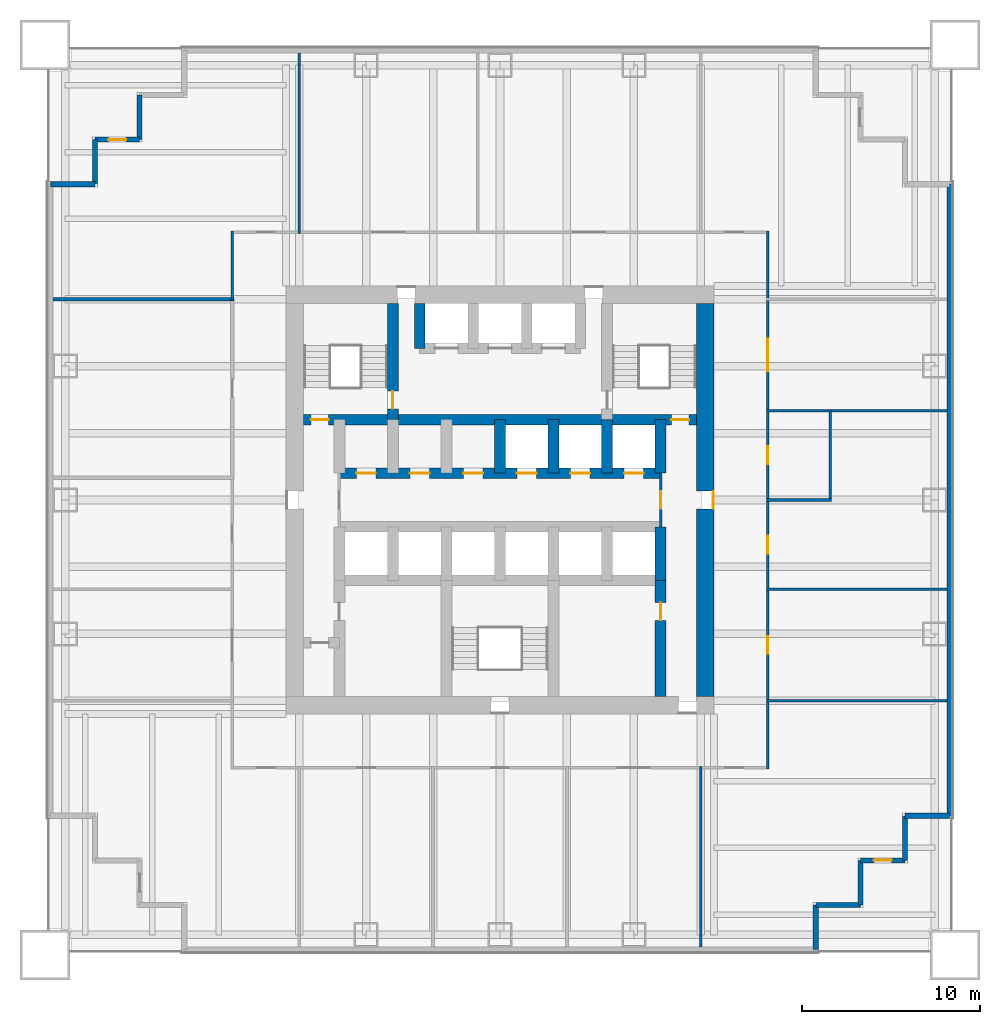
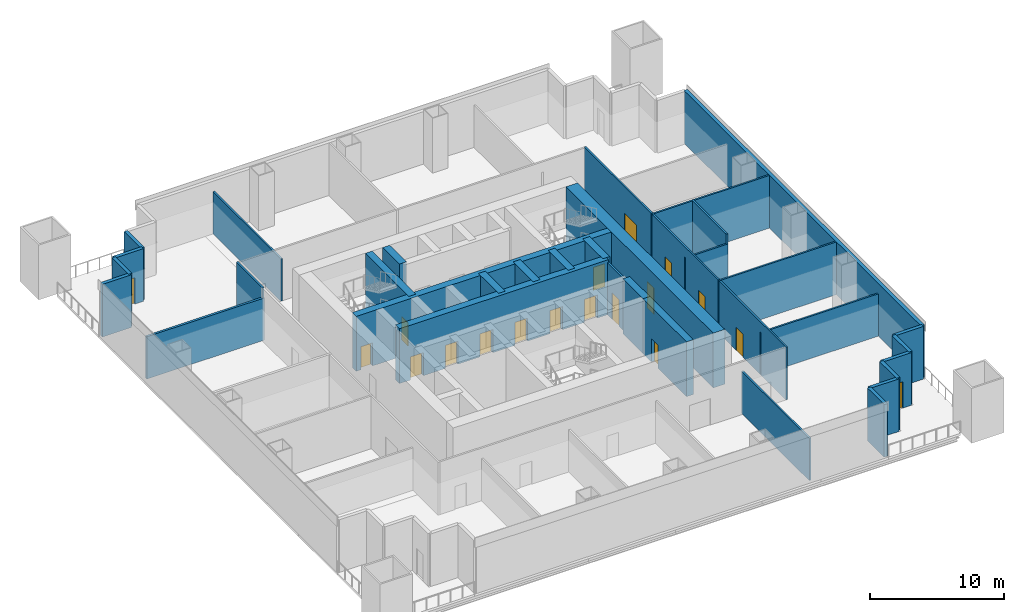
# One storey, part 3 of 6: 33 walls, 18 doors, 18 openings.
"""IFC4 building model written with IfcOpenShell, lengths in metres."""

from ifc_helpers import new_model, si_unit, direction, frame, frame_2d, origin, place, context, subcontext, project, spatial, rectangle, extrude, material, layer, layer_set, type_object, element, fill, save


model = new_model("IFC4")

# Units and contexts
model_context = context("Model", 3, precision=1e-05, world=origin(), true_north=direction((0.0, 1.0)))
body_context = subcontext(model_context, "Body", "Model", "MODEL_VIEW")
ifc_project = project(units=[si_unit("LENGTHUNIT", "METRE"), si_unit("AREAUNIT", "SQUARE_METRE"), si_unit("VOLUMEUNIT", "CUBIC_METRE"), si_unit("PLANEANGLEUNIT", "RADIAN"), si_unit("MASSUNIT", "GRAM", prefix="KILO")], contexts=[model_context])

# Site, building, storey
site_placement = place(None, origin())
site = spatial("IfcSite", under=ifc_project, at=site_placement, CompositionType="ELEMENT")
building_placement = place(site_placement, origin())
building = spatial("IfcBuilding", under=site, at=building_placement, Name="Tarangal Relay Tower", CompositionType="ELEMENT")
storey_placement = place(building_placement, frame((0.0, 0.0, 83.39990234375)))
storey = spatial("IfcBuildingStorey", under=building, at=storey_placement, Name="L16", CompositionType="ELEMENT", Elevation=83.39990234375)

# Wall
ifc_material_1 = material(Name="Two layers gypsum board each side on twin steel studs, mineral wool", Category="steel")
ifc_layer_1 = layer(ifc_material_1, 0.199951171875)
ifc_layer_set_1 = layer_set([ifc_layer_1], Name="Acoustic partition 200")
wall_type_1 = type_object("IfcWallType", Name="Acoustic partition 200", PredefinedType="PARTITIONING", material=ifc_layer_set_1)
wall_1_placement = place(storey_placement, frame((-25.050048828125, 11.25, 0.0), z_axis=(0.0, 0.0, 1.0), x_axis=(1.0, 0.0, 0.0)))
element("IfcWall", 1, at=wall_1_placement, inside=storey, type_object=wall_type_1, Name="Partition PT2 L16", PredefinedType="PARTITIONING", context=body_context, shape_type="SweptSolid", body=[
    extrude(rectangle(XDim=10.150146484375, YDim=0.199951171875, at=frame_2d((5.0751953125, 0.0))), origin(), (0.0, 0.0, 1.0), 3.852783203125),
])

# Wall, openings, doors
ifc_material_2 = material(Name="Concrete fc' 60 MPa", Category="concrete")
ifc_layer_2 = layer(ifc_material_2, 0.60009765625)
ifc_layer_set_2 = layer_set([ifc_layer_2], Name="Core inner wall 600")
wall_type_2 = type_object("IfcWallType", Name="Core inner wall 600", PredefinedType="SHEAR", material=ifc_layer_set_2)
wall_2_placement = place(storey_placement, frame((-11.0, 4.5, 0.0), z_axis=(0.0, 0.0, 1.0), x_axis=(1.0, 0.0, 0.0)))
wall_2 = element("IfcWall", 2, at=wall_2_placement, inside=storey, type_object=wall_type_2, Name="Core wall Y45 L16", PredefinedType="SHEAR", context=body_context, shape_type="SweptSolid", body=[
    extrude(rectangle(XDim=22.0, YDim=0.60009765625, at=frame_2d((11.0, 0.0))), origin(), (0.0, 0.0, 1.0), 5.0),
])
opening_1_placement = place(wall_2_placement, frame((0.39990234375, 0.0, 0.0)))
opening_1 = element("IfcOpeningElement", 3, at=opening_1_placement, cuts=wall_2, Name="Opening FD1", PredefinedType="OPENING", context=body_context, shape_type="SweptSolid", body=[
    extrude(rectangle(XDim=1.0, YDim=2.10009765625, at=frame_2d((0.5, 1.050048828125))), frame((0.0, 0.31005859375, 0.0), z_axis=(0.0, -1.0, 0.0), x_axis=(1.0, 0.0, 0.0)), (0.0, 0.0, 1.0), 0.6201171875),
])
opening_2_placement = place(wall_2_placement, frame((20.60009765625, 0.0, 0.0)))
opening_2 = element("IfcOpeningElement", 4, at=opening_2_placement, cuts=wall_2, Name="Opening FD1", PredefinedType="OPENING", context=body_context, shape_type="SweptSolid", body=[
    extrude(rectangle(XDim=1.0, YDim=2.10009765625, at=frame_2d((0.5, 1.050048828125))), frame((0.0, 0.31005859375, 0.0), z_axis=(0.0, -1.0, 0.0), x_axis=(1.0, 0.0, 0.0)), (0.0, 0.0, 1.0), 0.6201171875),
])
ifc_material_3 = material(Name="Steel door with hardwood frame", Category="steel")
door_type_1 = type_object("IfcDoorType", Name="Fire door 1000 x 2100", OperationType="SINGLE_SWING_LEFT", PredefinedType="DOOR", material=ifc_material_3)
door_1_placement = place(opening_1_placement, origin())
door_1 = element("IfcDoor", 5, at=door_1_placement, inside=storey, type_object=door_type_1, Name="Stair ST-A door from corridor L16", OperationType="SINGLE_SWING_LEFT", OverallHeight=2.10009765625, OverallWidth=1.0, PredefinedType="DOOR", context=body_context, shape_type="SweptSolid", body=[
    extrude(rectangle(XDim=1.0, YDim=2.10009765625, at=frame_2d((0.5, 1.050048828125))), frame((0.0, 0.02490234375, 0.0), z_axis=(0.0, -1.0, 0.0), x_axis=(1.0, 0.0, 0.0)), (0.0, 0.0, 1.0), 0.050048828125),
])
fill(opening_1, door_1)
door_2_placement = place(opening_2_placement, origin())
door_2 = element("IfcDoor", 6, at=door_2_placement, inside=storey, type_object=door_type_1, Name="Stair ST-B door from corridor L16", OperationType="SINGLE_SWING_LEFT", OverallHeight=2.10009765625, OverallWidth=1.0, PredefinedType="DOOR", context=body_context, shape_type="SweptSolid", body=[
    extrude(rectangle(XDim=1.0, YDim=2.10009765625, at=frame_2d((0.5, 1.050048828125))), frame((0.0, 0.02490234375, 0.0), z_axis=(0.0, -1.0, 0.0), x_axis=(1.0, 0.0, 0.0)), (0.0, 0.0, 1.0), 0.050048828125),
])
fill(opening_2, door_2)

wall_3_placement = place(storey_placement, frame((-9.0, 1.5, 0.0), z_axis=(0.0, 0.0, 1.0), x_axis=(1.0, 0.0, 0.0)))
wall_3 = element("IfcWall", 7, at=wall_3_placement, inside=storey, type_object=wall_type_2, Name="Core wall Y15 L16", PredefinedType="SHEAR", context=body_context, shape_type="SweptSolid", body=[
    extrude(rectangle(XDim=18.0, YDim=0.60009765625, at=frame_2d((9.0, 0.0))), origin(), (0.0, 0.0, 1.0), 5.0),
])
opening_3_placement = place(wall_3_placement, frame((9.949951171875, 0.0, 0.0)))
opening_3 = element("IfcOpeningElement", 8, at=opening_3_placement, cuts=wall_3, Name="Opening LD1", PredefinedType="OPENING", context=body_context, shape_type="SweptSolid", body=[
    extrude(rectangle(XDim=1.10009765625, YDim=2.10009765625, at=frame_2d((0.550048828125, 1.050048828125))), frame((0.0, 0.31005859375, 0.0), z_axis=(0.0, -1.0, 0.0), x_axis=(1.0, 0.0, 0.0)), (0.0, 0.0, 1.0), 0.6201171875),
])
opening_4_placement = place(wall_3_placement, frame((12.949951171875, 0.0, 0.0)))
opening_4 = element("IfcOpeningElement", 9, at=opening_4_placement, cuts=wall_3, Name="Opening LD1", PredefinedType="OPENING", context=body_context, shape_type="SweptSolid", body=[
    extrude(rectangle(XDim=1.10009765625, YDim=2.10009765625, at=frame_2d((0.550048828125, 1.050048828125))), frame((0.0, 0.31005859375, 0.0), z_axis=(0.0, -1.0, 0.0), x_axis=(1.0, 0.0, 0.0)), (0.0, 0.0, 1.0), 0.6201171875),
])
opening_5_placement = place(wall_3_placement, frame((15.949951171875, 0.0, 0.0)))
opening_5 = element("IfcOpeningElement", 10, at=opening_5_placement, cuts=wall_3, Name="Opening LD1", PredefinedType="OPENING", context=body_context, shape_type="SweptSolid", body=[
    extrude(rectangle(XDim=1.10009765625, YDim=2.10009765625, at=frame_2d((0.550048828125, 1.050048828125))), frame((0.0, 0.31005859375, 0.0), z_axis=(0.0, -1.0, 0.0), x_axis=(1.0, 0.0, 0.0)), (0.0, 0.0, 1.0), 0.6201171875),
])
opening_6_placement = place(wall_3_placement, frame((0.949951171875, 0.0, 0.0)))
opening_6 = element("IfcOpeningElement", 11, at=opening_6_placement, cuts=wall_3, Name="Opening D4", PredefinedType="OPENING", context=body_context, shape_type="SweptSolid", body=[
    extrude(rectangle(XDim=1.10009765625, YDim=2.10009765625, at=frame_2d((0.550048828125, 1.050048828125))), frame((0.0, 0.31005859375, 0.0), z_axis=(0.0, -1.0, 0.0), x_axis=(1.0, 0.0, 0.0)), (0.0, 0.0, 1.0), 0.6201171875),
])
opening_7_placement = place(wall_3_placement, frame((3.949951171875, 0.0, 0.0)))
opening_7 = element("IfcOpeningElement", 12, at=opening_7_placement, cuts=wall_3, Name="Opening D4", PredefinedType="OPENING", context=body_context, shape_type="SweptSolid", body=[
    extrude(rectangle(XDim=1.10009765625, YDim=2.10009765625, at=frame_2d((0.550048828125, 1.050048828125))), frame((0.0, 0.31005859375, 0.0), z_axis=(0.0, -1.0, 0.0), x_axis=(1.0, 0.0, 0.0)), (0.0, 0.0, 1.0), 0.6201171875),
])
opening_8_placement = place(wall_3_placement, frame((6.949951171875, 0.0, 0.0)))
opening_8 = element("IfcOpeningElement", 13, at=opening_8_placement, cuts=wall_3, Name="Opening D4", PredefinedType="OPENING", context=body_context, shape_type="SweptSolid", body=[
    extrude(rectangle(XDim=1.10009765625, YDim=2.10009765625, at=frame_2d((0.550048828125, 1.050048828125))), frame((0.0, 0.31005859375, 0.0), z_axis=(0.0, -1.0, 0.0), x_axis=(1.0, 0.0, 0.0)), (0.0, 0.0, 1.0), 0.6201171875),
])
door_type_2 = type_object("IfcDoorType", Name="Core room door 1100 x 2100", OperationType="SINGLE_SWING_RIGHT", PredefinedType="DOOR", material=ifc_material_3)
door_3_placement = place(opening_6_placement, origin())
door_3 = element("IfcDoor", 14, at=door_3_placement, inside=storey, type_object=door_type_2, Name="Door D4 to staff wc L16-D1", OperationType="SINGLE_SWING_RIGHT", OverallHeight=2.10009765625, OverallWidth=1.10009765625, PredefinedType="DOOR", context=body_context, shape_type="SweptSolid", body=[
    extrude(rectangle(XDim=1.10009765625, YDim=2.10009765625, at=frame_2d((0.550048828125, 1.050048828125))), frame((0.0, 0.02490234375, 0.0), z_axis=(0.0, -1.0, 0.0), x_axis=(1.0, 0.0, 0.0)), (0.0, 0.0, 1.0), 0.050048828125),
])
fill(opening_6, door_3)
door_4_placement = place(opening_7_placement, origin())
door_4 = element("IfcDoor", 15, at=door_4_placement, inside=storey, type_object=door_type_2, Name="Door D4 to cleaner's store L16-D2", OperationType="SINGLE_SWING_RIGHT", OverallHeight=2.10009765625, OverallWidth=1.10009765625, PredefinedType="DOOR", context=body_context, shape_type="SweptSolid", body=[
    extrude(rectangle(XDim=1.10009765625, YDim=2.10009765625, at=frame_2d((0.550048828125, 1.050048828125))), frame((0.0, 0.02490234375, 0.0), z_axis=(0.0, -1.0, 0.0), x_axis=(1.0, 0.0, 0.0)), (0.0, 0.0, 1.0), 0.050048828125),
])
fill(opening_7, door_4)
door_5_placement = place(opening_8_placement, origin())
door_5 = element("IfcDoor", 16, at=door_5_placement, inside=storey, type_object=door_type_2, Name="Door D4 to it room L16-D3", OperationType="SINGLE_SWING_RIGHT", OverallHeight=2.10009765625, OverallWidth=1.10009765625, PredefinedType="DOOR", context=body_context, shape_type="SweptSolid", body=[
    extrude(rectangle(XDim=1.10009765625, YDim=2.10009765625, at=frame_2d((0.550048828125, 1.050048828125))), frame((0.0, 0.02490234375, 0.0), z_axis=(0.0, -1.0, 0.0), x_axis=(1.0, 0.0, 0.0)), (0.0, 0.0, 1.0), 0.050048828125),
])
fill(opening_8, door_5)
door_type_3 = type_object("IfcDoorType", Name="Lift landing door 1100 x 2100", OperationType="SLIDING_TO_LEFT", PredefinedType="DOOR", material=ifc_material_3)
door_6_placement = place(opening_3_placement, origin())
door_6 = element("IfcDoor", 17, at=door_6_placement, inside=storey, type_object=door_type_3, Name="Lift T1 landing door L16", OperationType="SLIDING_TO_LEFT", OverallHeight=2.10009765625, OverallWidth=1.10009765625, PredefinedType="DOOR", context=body_context, shape_type="SweptSolid", body=[
    extrude(rectangle(XDim=1.10009765625, YDim=2.10009765625, at=frame_2d((0.550048828125, 1.050048828125))), frame((0.0, 0.02490234375, 0.0), z_axis=(0.0, -1.0, 0.0), x_axis=(1.0, 0.0, 0.0)), (0.0, 0.0, 1.0), 0.050048828125),
])
fill(opening_3, door_6)
door_7_placement = place(opening_4_placement, origin())
door_7 = element("IfcDoor", 18, at=door_7_placement, inside=storey, type_object=door_type_3, Name="Lift T2 landing door L16", OperationType="SLIDING_TO_LEFT", OverallHeight=2.10009765625, OverallWidth=1.10009765625, PredefinedType="DOOR", context=body_context, shape_type="SweptSolid", body=[
    extrude(rectangle(XDim=1.10009765625, YDim=2.10009765625, at=frame_2d((0.550048828125, 1.050048828125))), frame((0.0, 0.02490234375, 0.0), z_axis=(0.0, -1.0, 0.0), x_axis=(1.0, 0.0, 0.0)), (0.0, 0.0, 1.0), 0.050048828125),
])
fill(opening_4, door_7)
door_8_placement = place(opening_5_placement, origin())
door_8 = element("IfcDoor", 19, at=door_8_placement, inside=storey, type_object=door_type_3, Name="Lift T3 landing door L16", OperationType="SLIDING_TO_LEFT", OverallHeight=2.10009765625, OverallWidth=1.10009765625, PredefinedType="DOOR", context=body_context, shape_type="SweptSolid", body=[
    extrude(rectangle(XDim=1.10009765625, YDim=2.10009765625, at=frame_2d((0.550048828125, 1.050048828125))), frame((0.0, 0.02490234375, 0.0), z_axis=(0.0, -1.0, 0.0), x_axis=(1.0, 0.0, 0.0)), (0.0, 0.0, 1.0), 0.050048828125),
])
fill(opening_5, door_8)

# Walls
for number, where, z_axis, x_axis, name in (
    (20, (9.0, 1.5, 0.0), (0.0, 0.0, 1.0), (0.0, 1.0, 0.0), "Core wall X9N L16"),
    (21, (9.0, -4.5, 0.0), (0.0, 0.0, 1.0), (0.0, 1.0, 0.0), "Core wall X9S L16"),
    (22, (0.0, 1.5, 0.0), (0.0, 0.0, 1.0), (0.0, 1.0, 0.0), "Core wall X0N L16"),
    (23, (3.0, 1.5, 0.0), (0.0, 0.0, 1.0), (0.0, 1.0, 0.0), "Core wall X3N L16"),
    (24, (6.0, 1.5, 0.0), (0.0, 0.0, 1.0), (0.0, 1.0, 0.0), "Core wall X6N L16"),
):
    element("IfcWall", number, at=place(storey_placement, frame(where, z_axis=z_axis, x_axis=x_axis)), inside=storey, type_object=wall_type_2, Name=name, PredefinedType="SHEAR", context=body_context, shape_type="SweptSolid", body=[
        extrude(rectangle(XDim=3.0, YDim=0.60009765625, at=frame_2d((1.5, 0.0))), origin(), (0.0, 0.0, 1.0), 5.0),
    ])

# Wall, opening, door
wall_4_placement = place(storey_placement, frame((-6.0, 4.5, 0.0), z_axis=(0.0, 0.0, 1.0), x_axis=(0.0, 1.0, 0.0)))
wall_4 = element("IfcWall", 25, at=wall_4_placement, inside=storey, type_object=wall_type_2, Name="Core wall XM6 L16", PredefinedType="SHEAR", context=body_context, shape_type="SweptSolid", body=[
    extrude(rectangle(XDim=6.5, YDim=0.60009765625, at=frame_2d((3.25, 0.0))), origin(), (0.0, 0.0, 1.0), 5.0),
])
opening_9_placement = place(wall_4_placement, frame((0.60009765625, 0.0, 0.0)))
opening_9 = element("IfcOpeningElement", 26, at=opening_9_placement, cuts=wall_4, Name="Opening FD1", PredefinedType="OPENING", context=body_context, shape_type="SweptSolid", body=[
    extrude(rectangle(XDim=1.0, YDim=2.10009765625, at=frame_2d((0.5, 1.050048828125))), frame((0.0, 0.31005859375, 0.0), z_axis=(0.0, -1.0, 0.0), x_axis=(1.0, 0.0, 0.0)), (0.0, 0.0, 1.0), 0.6201171875),
])
door_9_placement = place(opening_9_placement, origin())
door_9 = element("IfcDoor", 27, at=door_9_placement, inside=storey, type_object=door_type_1, Name="Stair ST-A door from fire-fighting lobby L16", OperationType="SINGLE_SWING_LEFT", OverallHeight=2.10009765625, OverallWidth=1.0, PredefinedType="DOOR", context=body_context, shape_type="SweptSolid", body=[
    extrude(rectangle(XDim=1.0, YDim=2.10009765625, at=frame_2d((0.5, 1.050048828125))), frame((0.0, 0.02490234375, 0.0), z_axis=(0.0, -1.0, 0.0), x_axis=(1.0, 0.0, 0.0)), (0.0, 0.0, 1.0), 0.050048828125),
])
fill(opening_9, door_9)

# Wall
wall_5_placement = place(storey_placement, frame((-4.5, 8.5, 0.0), z_axis=(0.0, 0.0, 1.0), x_axis=(0.0, 1.0, 0.0)))
element("IfcWall", 28, at=wall_5_placement, inside=storey, type_object=wall_type_2, Name="Core wall XM45 L16", PredefinedType="SHEAR", context=body_context, shape_type="SweptSolid", body=[
    extrude(rectangle(XDim=2.5, YDim=0.60009765625, at=frame_2d((1.25, 0.0))), origin(), (0.0, 0.0, 1.0), 5.0),
])

# Wall, opening, door
wall_6_placement = place(storey_placement, frame((9.0, -11.0, 0.0), z_axis=(0.0, 0.0, 1.0), x_axis=(0.0, 1.0, 0.0)))
wall_6 = element("IfcWall", 29, at=wall_6_placement, inside=storey, type_object=wall_type_2, Name="Core wall X9W L16", PredefinedType="SHEAR", context=body_context, shape_type="SweptSolid", body=[
    extrude(rectangle(XDim=6.5, YDim=0.60009765625, at=frame_2d((3.25, 0.0))), origin(), (0.0, 0.0, 1.0), 5.0),
])
opening_10_placement = place(wall_6_placement, frame((4.25, 0.0, 0.0)))
opening_10 = element("IfcOpeningElement", 30, at=opening_10_placement, cuts=wall_6, Name="Opening D1", PredefinedType="OPENING", context=body_context, shape_type="SweptSolid", body=[
    extrude(rectangle(XDim=1.0, YDim=2.10009765625, at=frame_2d((0.5, 1.050048828125))), frame((0.0, 0.31005859375, 0.0), z_axis=(0.0, -1.0, 0.0), x_axis=(1.0, 0.0, 0.0)), (0.0, 0.0, 1.0), 0.6201171875),
])
ifc_material_4 = material(Name="Hardwood door", Category="wood")
door_type_4 = type_object("IfcDoorType", Name="WC door 1000 x 2100", OperationType="SINGLE_SWING_LEFT", PredefinedType="DOOR", material=ifc_material_4)
door_10_placement = place(opening_10_placement, origin())
door_10 = element("IfcDoor", 31, at=door_10_placement, inside=storey, type_object=door_type_4, Name="Female WC door L16", OperationType="SINGLE_SWING_LEFT", OverallHeight=2.10009765625, OverallWidth=1.0, PredefinedType="DOOR", context=body_context, shape_type="SweptSolid", body=[
    extrude(rectangle(XDim=1.0, YDim=2.10009765625, at=frame_2d((0.5, 1.050048828125))), frame((0.0, 0.02490234375, 0.0), z_axis=(0.0, -1.0, 0.0), x_axis=(1.0, 0.0, 0.0)), (0.0, 0.0, 1.0), 0.050048828125),
])
fill(opening_10, door_10)

ifc_layer_3 = layer(ifc_material_2, 1.0)
ifc_layer_set_3 = layer_set([ifc_layer_3], Name="Core wall 1000")
wall_type_3 = type_object("IfcWallType", Name="Core wall 1000", PredefinedType="SHEAR", material=ifc_layer_set_3)
wall_7_placement = place(storey_placement, frame((11.5, 11.0, 0.0), z_axis=(0.0, 0.0, 1.0), x_axis=(0.0, -1.0, 0.0)))
wall_7 = element("IfcWall", 32, at=wall_7_placement, inside=storey, type_object=wall_type_3, Name="Core wall E L16", PredefinedType="SHEAR", context=body_context, shape_type="SweptSolid", body=[
    extrude(rectangle(XDim=22.0, YDim=1.0, at=frame_2d((11.0, 0.0))), origin(), (0.0, 0.0, 1.0), 5.0),
])
opening_11_placement = place(wall_7_placement, frame((10.5, 0.0, 0.0)))
opening_11 = element("IfcOpeningElement", 33, at=opening_11_placement, cuts=wall_7, Name="Opening FD3", PredefinedType="OPENING", context=body_context, shape_type="SweptSolid", body=[
    extrude(rectangle(XDim=1.0, YDim=2.39990234375, at=frame_2d((0.5, 1.199951171875))), frame((0.0, 0.510009765625, 0.0), z_axis=(0.0, -1.0, 0.0), x_axis=(1.0, 0.0, 0.0)), (0.0, 0.0, 1.0), 1.02001953125),
])
door_type_5 = type_object("IfcDoorType", Name="Fire door 1000 x 2400 core entry", OperationType="SINGLE_SWING_RIGHT", PredefinedType="DOOR", material=ifc_material_3)
door_11_placement = place(opening_11_placement, origin())
door_11 = element("IfcDoor", 34, at=door_11_placement, inside=storey, type_object=door_type_5, Name="Core entry door east L16", OperationType="SINGLE_SWING_RIGHT", OverallHeight=2.39990234375, OverallWidth=1.0, PredefinedType="DOOR", context=body_context, shape_type="SweptSolid", body=[
    extrude(rectangle(XDim=1.0, YDim=2.39990234375, at=frame_2d((0.5, 1.199951171875))), frame((0.0, 0.48486328125, 0.0), z_axis=(0.0, -1.0, 0.0), x_axis=(1.0, 0.0, 0.0)), (0.0, 0.0, 1.0), 0.050048828125),
])
fill(opening_11, door_11)

# Walls
ifc_material_5 = material(Name="Insulated precast concrete fc' 40 MPa", Category="concrete")
ifc_layer_4 = layer(ifc_material_5, 0.300048828125)
ifc_layer_set_4 = layer_set([ifc_layer_4], Name="Insulated precast concrete fc' 40 MPa")
wall_type_4 = type_object("IfcWallType", Name="Facade wall precast 300", PredefinedType="SOLIDWALL", material=ifc_layer_set_4)
wall_8_placement = place(storey_placement, frame((25.199951171875, 17.699951171875, 0.0), z_axis=(0.0, 0.0, 1.0), x_axis=(0.0, -1.0, 0.0)))
element("IfcWall", 35, at=wall_8_placement, inside=storey, type_object=wall_type_4, Name="Facade wall E facade L16", PredefinedType="SOLIDWALL", context=body_context, shape_type="SweptSolid", body=[
    extrude(rectangle(XDim=35.39990234375, YDim=0.300048828125, at=frame_2d((17.699951171875, 0.0))), origin(), (0.0, 0.0, 1.0), 4.800048828125),
])
for number, where, z_axis, x_axis, name in (
    (36, (25.199951171875, -17.699951171875, 0.0), (0.0, 0.0, 1.0), (-1.0, 0.0, 0.0), "Facade wall E facade L16"),
    (37, (22.699951171875, -17.699951171875, 0.0), (0.0, 0.0, 1.0), (0.0, -1.0, 0.0), "Facade wall E facade L16"),
):
    element("IfcWall", number, at=place(storey_placement, frame(where, z_axis=z_axis, x_axis=x_axis)), inside=storey, type_object=wall_type_4, Name=name, PredefinedType="SOLIDWALL", context=body_context, shape_type="SweptSolid", body=[
        extrude(rectangle(XDim=2.5, YDim=0.300048828125, at=frame_2d((1.25, 0.0))), origin(), (0.0, 0.0, 1.0), 4.800048828125),
    ])

# Wall, opening, door
wall_9_placement = place(storey_placement, frame((22.699951171875, -20.199951171875, 0.0), z_axis=(0.0, 0.0, 1.0), x_axis=(-1.0, 0.0, 0.0)))
wall_9 = element("IfcWall", 38, at=wall_9_placement, inside=storey, type_object=wall_type_4, Name="Facade wall E facade L16", PredefinedType="SOLIDWALL", context=body_context, shape_type="SweptSolid", body=[
    extrude(rectangle(XDim=2.5, YDim=0.300048828125, at=frame_2d((1.25, 0.0))), origin(), (0.0, 0.0, 1.0), 4.800048828125),
])
opening_12_placement = place(wall_9_placement, frame((0.75, 0.0, 0.0)))
opening_12 = element("IfcOpeningElement", 39, at=opening_12_placement, cuts=wall_9, Name="Opening TD1", PredefinedType="OPENING", context=body_context, shape_type="SweptSolid", body=[
    extrude(rectangle(XDim=1.0, YDim=2.39990234375, at=frame_2d((0.5, 1.199951171875))), frame((0.0, 0.159912109375, 0.0), z_axis=(0.0, -1.0, 0.0), x_axis=(1.0, 0.0, 0.0)), (0.0, 0.0, 1.0), 0.320068359375),
])
ifc_material_6 = material(Name="Aluminium glazed door", Category="aluminium")
door_type_6 = type_object("IfcDoorType", Name="Terrace door 1000 x 2400", OperationType="SINGLE_SWING_RIGHT", PredefinedType="DOOR", material=ifc_material_6)
door_12_placement = place(opening_12_placement, origin())
door_12 = element("IfcDoor", 40, at=door_12_placement, inside=storey, type_object=door_type_6, Name="Terrace door TD1 SE L16", OperationType="SINGLE_SWING_RIGHT", OverallHeight=2.39990234375, OverallWidth=1.0, PredefinedType="DOOR", context=body_context, shape_type="SweptSolid", body=[
    extrude(rectangle(XDim=1.0, YDim=2.39990234375, at=frame_2d((0.5, 1.199951171875))), frame((0.0, 0.02490234375, 0.0), z_axis=(0.0, -1.0, 0.0), x_axis=(1.0, 0.0, 0.0)), (0.0, 0.0, 1.0), 0.050048828125),
])
fill(opening_12, door_12)

# Walls
for number, where, z_axis, x_axis, name in (
    (41, (20.199951171875, -20.199951171875, 0.0), (0.0, 0.0, 1.0), (0.0, -1.0, 0.0), "Facade wall E facade L16"),
    (42, (20.199951171875, -22.699951171875, 0.0), (0.0, 0.0, 1.0), (-1.0, 0.0, 0.0), "Facade wall E facade L16"),
    (43, (17.699951171875, -22.699951171875, 0.0), (0.0, 0.0, 1.0), (0.0, -1.0, 0.0), "Facade wall E facade L16"),
    (44, (-25.199951171875, 17.699951171875, 0.0), (0.0, 0.0, 1.0), (1.0, 0.0, 0.0), "Facade wall W facade L16"),
    (45, (-22.699951171875, 17.699951171875, 0.0), (0.0, 0.0, 1.0), (0.0, 1.0, 0.0), "Facade wall W facade L16"),
):
    element("IfcWall", number, at=place(storey_placement, frame(where, z_axis=z_axis, x_axis=x_axis)), inside=storey, type_object=wall_type_4, Name=name, PredefinedType="SOLIDWALL", context=body_context, shape_type="SweptSolid", body=[
        extrude(rectangle(XDim=2.5, YDim=0.300048828125, at=frame_2d((1.25, 0.0))), origin(), (0.0, 0.0, 1.0), 4.800048828125),
    ])

# Wall, opening, door
wall_10_placement = place(storey_placement, frame((-22.699951171875, 20.199951171875, 0.0), z_axis=(0.0, 0.0, 1.0), x_axis=(1.0, 0.0, 0.0)))
wall_10 = element("IfcWall", 46, at=wall_10_placement, inside=storey, type_object=wall_type_4, Name="Facade wall W facade L16", PredefinedType="SOLIDWALL", context=body_context, shape_type="SweptSolid", body=[
    extrude(rectangle(XDim=2.5, YDim=0.300048828125, at=frame_2d((1.25, 0.0))), origin(), (0.0, 0.0, 1.0), 4.800048828125),
])
opening_13_placement = place(wall_10_placement, frame((0.75, 0.0, 0.0)))
opening_13 = element("IfcOpeningElement", 47, at=opening_13_placement, cuts=wall_10, Name="Opening TD1", PredefinedType="OPENING", context=body_context, shape_type="SweptSolid", body=[
    extrude(rectangle(XDim=1.0, YDim=2.39990234375, at=frame_2d((0.5, 1.199951171875))), frame((0.0, 0.159912109375, 0.0), z_axis=(0.0, -1.0, 0.0), x_axis=(1.0, 0.0, 0.0)), (0.0, 0.0, 1.0), 0.320068359375),
])
door_13_placement = place(opening_13_placement, origin())
door_13 = element("IfcDoor", 48, at=door_13_placement, inside=storey, type_object=door_type_6, Name="Terrace door TD1 NW L16", OperationType="SINGLE_SWING_RIGHT", OverallHeight=2.39990234375, OverallWidth=1.0, PredefinedType="DOOR", context=body_context, shape_type="SweptSolid", body=[
    extrude(rectangle(XDim=1.0, YDim=2.39990234375, at=frame_2d((0.5, 1.199951171875))), frame((0.0, 0.02490234375, 0.0), z_axis=(0.0, -1.0, 0.0), x_axis=(1.0, 0.0, 0.0)), (0.0, 0.0, 1.0), 0.050048828125),
])
fill(opening_13, door_13)

# Walls
wall_11_placement = place(storey_placement, frame((-20.199951171875, 20.199951171875, 0.0), z_axis=(0.0, 0.0, 1.0), x_axis=(0.0, 1.0, 0.0)))
element("IfcWall", 49, at=wall_11_placement, inside=storey, type_object=wall_type_4, Name="Facade wall W facade L16", PredefinedType="SOLIDWALL", context=body_context, shape_type="SweptSolid", body=[
    extrude(rectangle(XDim=2.5, YDim=0.300048828125, at=frame_2d((1.25, 0.0))), origin(), (0.0, 0.0, 1.0), 4.800048828125),
])
ifc_material_7 = material(Name="Gypsum board on steel studs", Category="steel")
ifc_layer_5 = layer(ifc_material_7, 0.14990234375)
ifc_layer_set_5 = layer_set([ifc_layer_5], Name="Partition 150")
wall_type_5 = type_object("IfcWallType", Name="Partition 150", PredefinedType="PARTITIONING", material=ifc_layer_set_5)
wall_12_placement = place(storey_placement, frame((14.925048828125, -11.25, 0.0), z_axis=(0.0, 0.0, 1.0), x_axis=(1.0, 0.0, 0.0)))
element("IfcWall", 50, at=wall_12_placement, inside=storey, type_object=wall_type_5, Name="Partition PT1 L16", PredefinedType="PARTITIONING", context=body_context, shape_type="SweptSolid", body=[
    extrude(rectangle(XDim=10.125, YDim=0.14990234375, at=frame_2d((5.0625, 0.0))), origin(), (0.0, 0.0, 1.0), 3.852783203125),
])
wall_13_placement = place(storey_placement, frame((14.925048828125, -5.0, 0.0), z_axis=(0.0, 0.0, 1.0), x_axis=(1.0, 0.0, 0.0)))
element("IfcWall", 51, at=wall_13_placement, inside=storey, type_object=wall_type_5, Name="Partition PT1 L16", PredefinedType="PARTITIONING", context=body_context, shape_type="SweptSolid", body=[
    extrude(rectangle(XDim=10.125, YDim=0.14990234375, at=frame_2d((5.0625, 0.0))), origin(), (0.0, 0.0, 1.0), 4.800048828125),
])
wall_14_placement = place(storey_placement, frame((14.925048828125, 0.0, 0.0), z_axis=(0.0, 0.0, 1.0), x_axis=(1.0, 0.0, 0.0)))
element("IfcWall", 52, at=wall_14_placement, inside=storey, type_object=wall_type_5, Name="Partition PT1 L16", PredefinedType="PARTITIONING", context=body_context, shape_type="SweptSolid", body=[
    extrude(rectangle(XDim=3.64990234375, YDim=0.14990234375, at=frame_2d((1.824951171875, 0.0))), origin(), (0.0, 0.0, 1.0), 3.852783203125),
])
wall_15_placement = place(storey_placement, frame((14.925048828125, 5.0, 0.0), z_axis=(0.0, 0.0, 1.0), x_axis=(1.0, 0.0, 0.0)))
element("IfcWall", 53, at=wall_15_placement, inside=storey, type_object=wall_type_5, Name="Partition PT1 L16", PredefinedType="PARTITIONING", context=body_context, shape_type="SweptSolid", body=[
    extrude(rectangle(XDim=10.125, YDim=0.14990234375, at=frame_2d((5.0625, 0.0))), origin(), (0.0, 0.0, 1.0), 4.800048828125),
])
wall_16_placement = place(storey_placement, frame((-15.0, 11.175048828125, 0.0), z_axis=(0.0, 0.0, 1.0), x_axis=(0.0, 1.0, 0.0)))
element("IfcWall", 54, at=wall_16_placement, inside=storey, type_object=wall_type_5, Name="Partition PT1 L16", PredefinedType="PARTITIONING", context=body_context, shape_type="SweptSolid", body=[
    extrude(rectangle(XDim=3.89990234375, YDim=0.14990234375, at=frame_2d((1.949951171875, 0.0))), origin(), (0.0, 0.0, 1.0), 4.800048828125),
])
for number, where, z_axis, x_axis, name in (
    (55, (-11.25, 14.925048828125, 0.0), (0.0, 0.0, 1.0), (0.0, 1.0, 0.0), "Partition PT1 L16"),
    (56, (11.25, -25.050048828125, 0.0), (0.0, 0.0, 1.0), (0.0, 1.0, 0.0), "Partition PT1 L16"),
):
    element("IfcWall", number, at=place(storey_placement, frame(where, z_axis=z_axis, x_axis=x_axis)), inside=storey, type_object=wall_type_5, Name=name, PredefinedType="PARTITIONING", context=body_context, shape_type="SweptSolid", body=[
        extrude(rectangle(XDim=10.125, YDim=0.14990234375, at=frame_2d((5.0625, 0.0))), origin(), (0.0, 0.0, 1.0), 3.852783203125),
    ])

# Wall, openings, doors
wall_17_placement = place(storey_placement, frame((15.0, -15.074951171875, 0.0), z_axis=(0.0, 0.0, 1.0), x_axis=(0.0, 1.0, 0.0)))
wall_17 = element("IfcWall", 57, at=wall_17_placement, inside=storey, type_object=wall_type_5, Name="Partition PT1 L16", PredefinedType="PARTITIONING", context=body_context, shape_type="SweptSolid", body=[
    extrude(rectangle(XDim=30.14990234375, YDim=0.14990234375, at=frame_2d((15.074951171875, 0.0))), origin(), (0.0, 0.0, 1.0), 4.800048828125),
])
opening_14_placement = place(wall_17_placement, frame((22.300048828125, 0.0, 0.0)))
opening_14 = element("IfcOpeningElement", 58, at=opening_14_placement, cuts=wall_17, Name="Opening DD1", PredefinedType="OPENING", context=body_context, shape_type="SweptSolid", body=[
    extrude(rectangle(XDim=1.800048828125, YDim=2.39990234375, at=frame_2d((0.89990234375, 1.199951171875))), frame((0.0, 0.0849609375, 0.0), z_axis=(0.0, -1.0, 0.0), x_axis=(1.0, 0.0, 0.0)), (0.0, 0.0, 1.0), 0.169921875),
])
opening_15_placement = place(wall_17_placement, frame((17.074951171875, 0.0, 0.0)))
opening_15 = element("IfcOpeningElement", 59, at=opening_15_placement, cuts=wall_17, Name="Opening D2", PredefinedType="OPENING", context=body_context, shape_type="SweptSolid", body=[
    extrude(rectangle(XDim=1.0, YDim=2.10009765625, at=frame_2d((0.5, 1.050048828125))), frame((0.0, 0.0849609375, 0.0), z_axis=(0.0, -1.0, 0.0), x_axis=(1.0, 0.0, 0.0)), (0.0, 0.0, 1.0), 0.169921875),
])
opening_16_placement = place(wall_17_placement, frame((12.074951171875, 0.0, 0.0)))
opening_16 = element("IfcOpeningElement", 60, at=opening_16_placement, cuts=wall_17, Name="Opening D2", PredefinedType="OPENING", context=body_context, shape_type="SweptSolid", body=[
    extrude(rectangle(XDim=1.0, YDim=2.10009765625, at=frame_2d((0.5, 1.050048828125))), frame((0.0, 0.0849609375, 0.0), z_axis=(0.0, -1.0, 0.0), x_axis=(1.0, 0.0, 0.0)), (0.0, 0.0, 1.0), 0.169921875),
])
opening_17_placement = place(wall_17_placement, frame((6.449951171875, 0.0, 0.0)))
opening_17 = element("IfcOpeningElement", 61, at=opening_17_placement, cuts=wall_17, Name="Opening D2", PredefinedType="OPENING", context=body_context, shape_type="SweptSolid", body=[
    extrude(rectangle(XDim=1.0, YDim=2.10009765625, at=frame_2d((0.5, 1.050048828125))), frame((0.0, 0.0849609375, 0.0), z_axis=(0.0, -1.0, 0.0), x_axis=(1.0, 0.0, 0.0)), (0.0, 0.0, 1.0), 0.169921875),
])
door_type_7 = type_object("IfcDoorType", Name="Door 1000 x 2100", OperationType="SINGLE_SWING_LEFT", PredefinedType="DOOR", material=ifc_material_4)
door_14_placement = place(opening_15_placement, origin())
door_14 = element("IfcDoor", 62, at=door_14_placement, inside=storey, type_object=door_type_7, Name="Door D2 to customer meeting room L16-05", OperationType="SINGLE_SWING_LEFT", OverallHeight=2.10009765625, OverallWidth=1.0, PredefinedType="DOOR", context=body_context, shape_type="SweptSolid", body=[
    extrude(rectangle(XDim=1.0, YDim=2.10009765625, at=frame_2d((0.5, 1.050048828125))), frame((0.0, 0.02490234375, 0.0), z_axis=(0.0, -1.0, 0.0), x_axis=(1.0, 0.0, 0.0)), (0.0, 0.0, 1.0), 0.050048828125),
])
fill(opening_15, door_14)
door_15_placement = place(opening_16_placement, origin())
door_15 = element("IfcDoor", 63, at=door_15_placement, inside=storey, type_object=door_type_7, Name="Door D2 to customer office L16-06", OperationType="SINGLE_SWING_LEFT", OverallHeight=2.10009765625, OverallWidth=1.0, PredefinedType="DOOR", context=body_context, shape_type="SweptSolid", body=[
    extrude(rectangle(XDim=1.0, YDim=2.10009765625, at=frame_2d((0.5, 1.050048828125))), frame((0.0, 0.02490234375, 0.0), z_axis=(0.0, -1.0, 0.0), x_axis=(1.0, 0.0, 0.0)), (0.0, 0.0, 1.0), 0.050048828125),
])
fill(opening_16, door_15)
door_16_placement = place(opening_17_placement, origin())
door_16 = element("IfcDoor", 64, at=door_16_placement, inside=storey, type_object=door_type_7, Name="Door D2 to rack staging room L16-07", OperationType="SINGLE_SWING_LEFT", OverallHeight=2.10009765625, OverallWidth=1.0, PredefinedType="DOOR", context=body_context, shape_type="SweptSolid", body=[
    extrude(rectangle(XDim=1.0, YDim=2.10009765625, at=frame_2d((0.5, 1.050048828125))), frame((0.0, 0.02490234375, 0.0), z_axis=(0.0, -1.0, 0.0), x_axis=(1.0, 0.0, 0.0)), (0.0, 0.0, 1.0), 0.050048828125),
])
fill(opening_17, door_16)
door_type_8 = type_object("IfcDoorType", Name="Equipment double door 1800 x 2400", OperationType="DOUBLE_DOOR_SINGLE_SWING", PredefinedType="DOOR", material=ifc_material_3)
door_17_placement = place(opening_14_placement, origin())
door_17 = element("IfcDoor", 65, at=door_17_placement, inside=storey, type_object=door_type_8, Name="Door DD1 to network equipment room L16-04", OperationType="DOUBLE_DOOR_SINGLE_SWING", OverallHeight=2.39990234375, OverallWidth=1.800048828125, PredefinedType="DOOR", context=body_context, shape_type="SweptSolid", body=[
    extrude(rectangle(XDim=1.800048828125, YDim=2.39990234375, at=frame_2d((0.89990234375, 1.199951171875))), frame((0.0, 0.02490234375, 0.0), z_axis=(0.0, -1.0, 0.0), x_axis=(1.0, 0.0, 0.0)), (0.0, 0.0, 1.0), 0.050048828125),
])
fill(opening_14, door_17)

# Wall
wall_18_placement = place(storey_placement, frame((18.5, -0.074951171875, 0.0), z_axis=(0.0, 0.0, 1.0), x_axis=(0.0, 1.0, 0.0)))
element("IfcWall", 66, at=wall_18_placement, inside=storey, type_object=wall_type_5, Name="Partition PT1 L16", PredefinedType="PARTITIONING", context=body_context, shape_type="SweptSolid", body=[
    extrude(rectangle(XDim=5.14990234375, YDim=0.14990234375, at=frame_2d((2.574951171875, 0.0))), origin(), (0.0, 0.0, 1.0), 4.800048828125),
])

# Wall, opening, door
wall_19_placement = place(storey_placement, frame((9.0, -1.5, 0.0), z_axis=(0.0, 0.0, 1.0), x_axis=(0.0, 1.0, 0.0)))
wall_19 = element("IfcWall", 67, at=wall_19_placement, inside=storey, type_object=wall_type_5, Name="Partition PT1 L16", PredefinedType="PARTITIONING", context=body_context, shape_type="SweptSolid", body=[
    extrude(rectangle(XDim=3.0, YDim=0.14990234375, at=frame_2d((1.5, 0.0))), origin(), (0.0, 0.0, 1.0), 4.75),
])
opening_18_placement = place(wall_19_placement, frame((1.0, 0.0, 0.0)))
opening_18 = element("IfcOpeningElement", 68, at=opening_18_placement, cuts=wall_19, Name="Opening FD3", PredefinedType="OPENING", context=body_context, shape_type="SweptSolid", body=[
    extrude(rectangle(XDim=1.0, YDim=2.39990234375, at=frame_2d((0.5, 1.199951171875))), frame((0.0, 0.0849609375, 0.0), z_axis=(0.0, -1.0, 0.0), x_axis=(1.0, 0.0, 0.0)), (0.0, 0.0, 1.0), 0.169921875),
])
door_18_placement = place(opening_18_placement, origin())
door_18 = element("IfcDoor", 69, at=door_18_placement, inside=storey, type_object=door_type_5, Name="Lift lobby door FD3 to the east corridor L16", OperationType="SINGLE_SWING_RIGHT", OverallHeight=2.39990234375, OverallWidth=1.0, PredefinedType="DOOR", context=body_context, shape_type="SweptSolid", body=[
    extrude(rectangle(XDim=1.0, YDim=2.39990234375, at=frame_2d((0.5, 1.199951171875))), frame((0.0, 0.02490234375, 0.0), z_axis=(0.0, -1.0, 0.0), x_axis=(1.0, 0.0, 0.0)), (0.0, 0.0, 1.0), 0.050048828125),
])
fill(opening_18, door_18)

save(model, "model.ifc")
